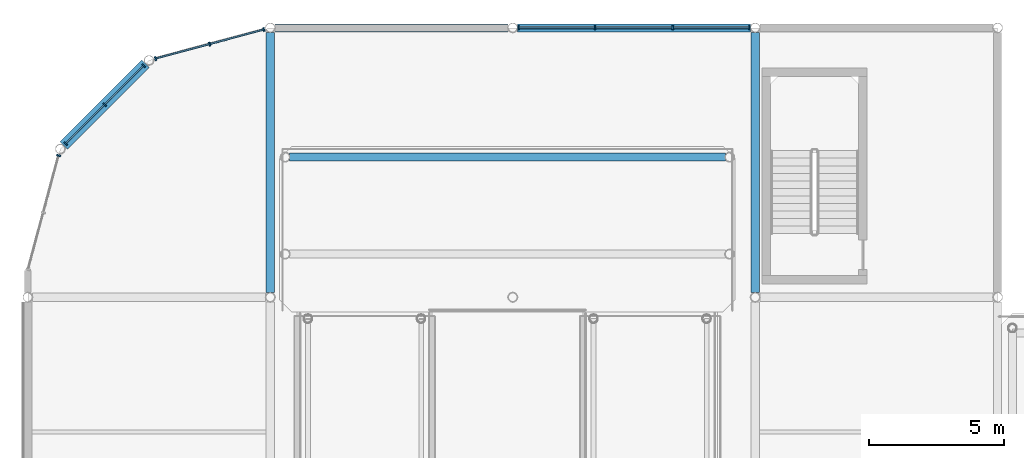
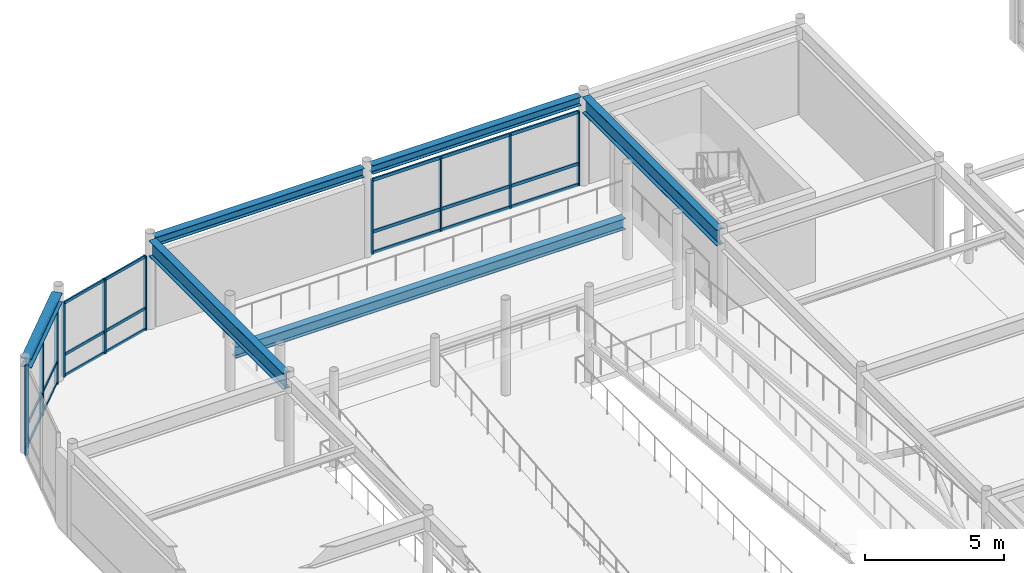
# One storey, part 40 of 108: 32 members, 6 beams, 4 elements without a shape of their own.
"""IFC4 building model written with IfcOpenShell, lengths in metres."""

import ifcopenshell
import ifcopenshell.guid

model = None  # the IFC model being written
_history = None  # IfcOwnerHistory: only IFC2X3 demands one
_inside = {}  # id of a spatial element -> (the spatial element, [elements in it])
_under = {}  # id of a project, library or spatial element -> (it, [spatial elements below it])
_declared = {}  # id of a project -> (the project, [libraries it declares])
_typed = {}  # id of a type object -> (the type object, [elements of that type])
_made_of = {}  # id of a material, layer set ... -> (it, [elements and type objects made of it])


def new_model(schema):
    """Start an empty IFC model of exactly this schema.

    Asked for "IFC4X3", IfcOpenShell would pick the latest addendum, in which some entities
    have other attributes; the version numbers below select the first issue.
    IFC2X3 requires an IfcOwnerHistory on every rooted entity: one is made here for all.
    """
    global model, _history
    if schema == "IFC4X3":
        model = ifcopenshell.file(schema_version=(4, 3, 0, 0))
    else:
        model = ifcopenshell.file(schema=schema)
    _inside.clear()
    _under.clear()
    _declared.clear()
    _typed.clear()
    _made_of.clear()
    _history = None
    if model.schema == "IFC2X3":
        org = make("IfcOrganization", Name="unknown")
        user = make(
            "IfcPersonAndOrganization",
            ThePerson=make("IfcPerson", FamilyName="unknown"),
            TheOrganization=org,
        )
        app = make(
            "IfcApplication",
            ApplicationDeveloper=org,
            Version="unknown",
            ApplicationFullName="unknown",
            ApplicationIdentifier="unknown",
        )
        _history = make(
            "IfcOwnerHistory",
            OwningUser=user,
            OwningApplication=app,
            ChangeAction="ADDED",
            CreationDate=0,
        )
    return model


def make(cls, **values):
    """One entity of the class cls with the attributes given. An attribute that is None is left unset."""
    return model.create_entity(
        cls, **{name: value for name, value in values.items() if value is not None}
    )


def rooted(cls, **values):
    """An entity with a GlobalId (a new one), such as an element, a storey or a relation."""
    return make(cls, GlobalId=ifcopenshell.guid.new(), OwnerHistory=_history, **values)


def si_unit(unit_type, name, prefix=None):
    """IfcSIUnit, for example si_unit("LENGTHUNIT", "METRE", prefix="MILLI")."""
    return make("IfcSIUnit", UnitType=unit_type, Prefix=prefix, Name=name)


def assignment(units):
    """IfcUnitAssignment: the units of a project."""
    return None if units is None else make("IfcUnitAssignment", Units=units)


def point(xyz):
    """IfcCartesianPoint."""
    return None if xyz is None else make("IfcCartesianPoint", Coordinates=xyz)


def direction(xyz):
    """IfcDirection."""
    return None if xyz is None else make("IfcDirection", DirectionRatios=xyz)


def frame(location, z_axis=None, x_axis=None):
    """IfcAxis2Placement3D, a coordinate frame: its origin and axes. An axis left out is left unset."""
    return make(
        "IfcAxis2Placement3D",
        Location=point(location),
        Axis=direction(z_axis),
        RefDirection=direction(x_axis),
    )


def frame_2d(location, x_axis=None):
    """IfcAxis2Placement2D, a coordinate frame in the plane: its origin and x axis."""
    return make(
        "IfcAxis2Placement2D", Location=point(location), RefDirection=direction(x_axis)
    )


def origin():
    """The frame at (0, 0, 0) with its axes left unset."""
    return frame((0.0, 0.0, 0.0))


def origin_2d():
    """The frame at (0, 0) in the plane with its x axis left unset."""
    return frame_2d((0.0, 0.0))


def place(relative_to, where):
    """IfcLocalPlacement: puts the frame where relative to a parent placement (None: the world)."""
    return make(
        "IfcLocalPlacement", PlacementRelTo=relative_to, RelativePlacement=where
    )


def context(
    kind, dimensions, precision=None, world=None, true_north=None, identifier=None
):
    """IfcGeometricRepresentationContext, for example the 3D "Model" context."""
    return make(
        "IfcGeometricRepresentationContext",
        ContextIdentifier=identifier,
        ContextType=kind,
        CoordinateSpaceDimension=dimensions,
        Precision=precision,
        WorldCoordinateSystem=world,
        TrueNorth=true_north,
    )


def subcontext(parent, identifier, kind, view, scale=None):
    """IfcGeometricRepresentationSubContext, for example "Body" below "Model"."""
    return make(
        "IfcGeometricRepresentationSubContext",
        ContextIdentifier=identifier,
        ContextType=kind,
        ParentContext=parent,
        TargetScale=scale,
        TargetView=view,
    )


def project(units=None, contexts=None):
    """IfcProject with its units and contexts."""
    return rooted(
        "IfcProject",
        Name="project",
        RepresentationContexts=contexts,
        UnitsInContext=assignment(units),
    )


def spatial(cls, under=None, at=None, **own):
    """A site, building, storey or space (cls), placed at a placement, below another one or the project."""
    s = rooted(cls, ObjectPlacement=at, **own)
    if under is not None:
        _under.setdefault(under.id(), (under, []))[1].append(s)
    return s


def profile(cls, at=None, kind="AREA", **sizes):
    """A parametric profile (cls). Its sizes go by their IFC names, for example OverallWidth=200.0."""
    return make(cls, ProfileType=kind, Position=at, **sizes)


def rectangle(**sizes):
    """IfcRectangleProfileDef."""
    return profile("IfcRectangleProfileDef", **sizes)


def i_section(**sizes):
    """IfcIShapeProfileDef."""
    return profile("IfcIShapeProfileDef", **sizes)


def extrude(swept, where, along, depth):
    """IfcExtrudedAreaSolid: the profile swept, set in the frame where, extruded along a direction by depth."""
    return make(
        "IfcExtrudedAreaSolid",
        SweptArea=swept,
        Position=where,
        ExtrudedDirection=direction(along),
        Depth=depth,
    )


def shape(context_of_items, identifier, shape_type, items):
    """IfcShapeRepresentation: the items that make up one representation, for example the "Body"."""
    return make(
        "IfcShapeRepresentation",
        ContextOfItems=context_of_items,
        RepresentationIdentifier=identifier,
        RepresentationType=shape_type,
        Items=items,
    )


def material(Name=None, Category=None):
    """IfcMaterial."""
    return make("IfcMaterial", Name=Name, Category=Category)


def material_profile(
    of_material, cross_section, Name=None, Category=None, Priority=None
):
    """IfcMaterialProfile: a cross section and its material."""
    return make(
        "IfcMaterialProfile",
        Name=Name,
        Material=of_material,
        Profile=cross_section,
        Priority=Priority,
        Category=Category,
    )


def profile_set(profiles, Name=None, composite=None):
    """IfcMaterialProfileSet."""
    return make(
        "IfcMaterialProfileSet",
        Name=Name,
        MaterialProfiles=profiles,
        CompositeProfile=composite,
    )


def made_of(thing, what):
    """Note that an element or type object is made of a material, layer set ...; save() writes the relation."""
    if what is not None:
        _made_of.setdefault(what.id(), (what, []))[1].append(thing)
    return thing


def type_object(cls, material=None, **own):
    """A type object (cls), such as IfcWallType, which elements share."""
    return made_of(rooted(cls, **own), material)


def element(
    cls,
    number,
    at=None,
    inside=None,
    cuts=None,
    type_object=None,
    material=None,
    context=None,
    identifier="Body",
    shape_type=None,
    held_by="IfcProductDefinitionShape",
    body=None,
    shapes=None,
    **own,
):
    """One element of the class cls, such as IfcWall. Its Tag is "e" and its number.

    at: its placement. inside: the storey or other place that contains it. cuts: it is an
    opening in that element (IfcRelVoidsElement). A single representation is given by context,
    identifier, shape_type and body (its items); several are given by shapes. held_by: the class
    of the entity that holds the representations. save() writes the other relations.
    """
    e = rooted(cls, Tag="e%d" % number, ObjectPlacement=at, **own)
    if body is not None:
        shapes = [shape(context, identifier, shape_type, body)]
    if shapes is not None:
        e.Representation = make(held_by, Representations=shapes)
    if inside is not None:
        _inside.setdefault(inside.id(), (inside, []))[1].append(e)
    if cuts is not None:
        rooted(
            "IfcRelVoidsElement", RelatingBuildingElement=cuts, RelatedOpeningElement=e
        )
    if type_object is not None:
        _typed.setdefault(type_object.id(), (type_object, []))[1].append(e)
    return made_of(e, material)


def aggregate(whole, parts):
    """IfcRelAggregates: a whole, such as a stair, and the parts it consists of."""
    return rooted("IfcRelAggregates", RelatingObject=whole, RelatedObjects=parts)


def save(model, path):
    """Write the relations noted so far, then the file.

    IfcRelAggregates (storeys below a building ...), IfcRelContainedInSpatialStructure (elements
    in a storey), IfcRelDefinesByType, IfcRelAssociatesMaterial and IfcRelDeclares: one each for
    every whole, place, type object, material and project.
    """
    for whole, parts in _under.values():
        aggregate(whole, parts)
    for where, things in _inside.values():
        rooted(
            "IfcRelContainedInSpatialStructure",
            RelatedElements=things,
            RelatingStructure=where,
        )
    for kind, things in _typed.values():
        rooted("IfcRelDefinesByType", RelatedObjects=things, RelatingType=kind)
    for what, things in _made_of.values():
        rooted("IfcRelAssociatesMaterial", RelatedObjects=things, RelatingMaterial=what)
    for by, libraries in _declared.values():
        rooted("IfcRelDeclares", RelatingContext=by, RelatedDefinitions=libraries)
    model.write(path)


model = new_model("IFC4")

# Units and contexts
model_context = context("Model", 3, precision=1e-05, world=origin(), true_north=direction((0.0, 1.0)))
body_context = subcontext(model_context, "Body", "Model", "MODEL_VIEW")
ifc_project = project(units=[si_unit("LENGTHUNIT", "METRE"), si_unit("AREAUNIT", "SQUARE_METRE"), si_unit("VOLUMEUNIT", "CUBIC_METRE"), si_unit("PLANEANGLEUNIT", "RADIAN"), si_unit("MASSUNIT", "GRAM", prefix="KILO")], contexts=[model_context])

# Site, building, storey
site_placement = place(None, origin())
site = spatial("IfcSite", under=ifc_project, at=site_placement, CompositionType="ELEMENT")
building_placement = place(site_placement, origin())
building = spatial("IfcBuilding", under=site, at=building_placement, Name="Suzunagisa Mobility Hub", CompositionType="ELEMENT")
storey_placement = place(building_placement, frame((0.0, 0.0, 9.300048828125)))
storey = spatial("IfcBuildingStorey", under=building, at=storey_placement, Name="L02", CompositionType="ELEMENT", Elevation=9.300048828125)

# Curtain wall, members
ifc_material_1 = material(Name="Thermally Broken Anodized Aluminum and Low-E Glazing", Category="aluminium")
curtain_wall_type_1 = type_object("IfcCurtainWallType", Name="Unitised Curtain Wall CW-13 8750x3200", PredefinedType="USERDEFINED", material=ifc_material_1)
curtain_wall_1_placement = place(storey_placement, origin())
curtain_wall_1 = element("IfcCurtainWall", 1, at=curtain_wall_1_placement, inside=storey, type_object=curtain_wall_type_1, Name="L02 Unitised Curtain Wall CW-67", ObjectType="UNITISED CURTAIN WALL", PredefinedType="USERDEFINED")
ifc_material_2 = material(Name="Anodized Aluminum 6063-T6", Category="aluminium")
ifc_material_profile_1 = material_profile(ifc_material_2, rectangle(XDim=0.06494140625, YDim=0.139892578125, at=origin_2d()), Name="TRAN-65x140")
ifc_profile_set_1 = profile_set([ifc_material_profile_1], Name="Anodized Aluminum 6063-T6")
member_type_1 = type_object("IfcMemberType", Name="Curtain Wall Framing CM-01 TRAN-65x140", PredefinedType="USERDEFINED", material=ifc_profile_set_1)
member_1_placement = place(storey_placement, frame((26.76416015625, 118.0, 0.032470703125), z_axis=(-1.0, 0.0, 0.0), x_axis=(0.0, -1.0, 0.0)))
member_1 = element("IfcMember", 2, at=member_1_placement, type_object=member_type_1, Name="Curtain Wall Transom 67-T1.1", ObjectType="TRANSOM", PredefinedType="USERDEFINED", context=body_context, shape_type="SweptSolid", body=[
    extrude(rectangle(XDim=0.06494140625, YDim=0.139892578125, at=origin_2d()), origin(), (0.0, 0.0, 1.0), 2.79541015625),
])
member_2_placement = place(storey_placement, frame((26.76416015625, 118.0, 0.949951171875), z_axis=(-1.0, 0.0, 0.0), x_axis=(0.0, -1.0, 0.0)))
member_2 = element("IfcMember", 3, at=member_2_placement, type_object=member_type_1, Name="Curtain Wall Transom 67-T1.2", ObjectType="TRANSOM", PredefinedType="USERDEFINED", context=body_context, shape_type="SweptSolid", body=[
    extrude(rectangle(XDim=0.06494140625, YDim=0.139892578125, at=origin_2d()), origin(), (0.0, 0.0, 1.0), 2.79541015625),
])
member_3_placement = place(storey_placement, frame((26.76416015625, 118.0, 3.217529296875), z_axis=(-1.0, 0.0, 0.0), x_axis=(0.0, -1.0, 0.0)))
member_3 = element("IfcMember", 4, at=member_3_placement, type_object=member_type_1, Name="Curtain Wall Transom 67-T1.3", ObjectType="TRANSOM", PredefinedType="USERDEFINED", context=body_context, shape_type="SweptSolid", body=[
    extrude(rectangle(XDim=0.06494140625, YDim=0.139892578125, at=origin_2d()), origin(), (0.0, 0.0, 1.0), 2.79541015625),
])
member_4_placement = place(storey_placement, frame((23.91259765625, 118.0, 0.032470703125), z_axis=(-1.0, 0.0, 0.0), x_axis=(0.0, -1.0, 0.0)))
member_4 = element("IfcMember", 5, at=member_4_placement, type_object=member_type_1, Name="Curtain Wall Transom 67-T2.1", ObjectType="TRANSOM", PredefinedType="USERDEFINED", context=body_context, shape_type="SweptSolid", body=[
    extrude(rectangle(XDim=0.06494140625, YDim=0.139892578125, at=origin_2d()), origin(), (0.0, 0.0, 1.0), 2.8251953125),
])
member_5_placement = place(storey_placement, frame((23.91259765625, 118.0, 0.949951171875), z_axis=(-1.0, 0.0, 0.0), x_axis=(0.0, -1.0, 0.0)))
member_5 = element("IfcMember", 6, at=member_5_placement, type_object=member_type_1, Name="Curtain Wall Transom 67-T2.2", ObjectType="TRANSOM", PredefinedType="USERDEFINED", context=body_context, shape_type="SweptSolid", body=[
    extrude(rectangle(XDim=0.06494140625, YDim=0.139892578125, at=origin_2d()), origin(), (0.0, 0.0, 1.0), 2.8251953125),
])
member_6_placement = place(storey_placement, frame((23.91259765625, 118.0, 3.217529296875), z_axis=(-1.0, 0.0, 0.0), x_axis=(0.0, -1.0, 0.0)))
member_6 = element("IfcMember", 7, at=member_6_placement, type_object=member_type_1, Name="Curtain Wall Transom 67-T2.3", ObjectType="TRANSOM", PredefinedType="USERDEFINED", context=body_context, shape_type="SweptSolid", body=[
    extrude(rectangle(XDim=0.06494140625, YDim=0.139892578125, at=origin_2d()), origin(), (0.0, 0.0, 1.0), 2.8251953125),
])
member_7_placement = place(storey_placement, frame((21.03125, 118.0, 0.032470703125), z_axis=(-1.0, 0.0, 0.0), x_axis=(0.0, -1.0, 0.0)))
member_7 = element("IfcMember", 8, at=member_7_placement, type_object=member_type_1, Name="Curtain Wall Transom 67-T3.1", ObjectType="TRANSOM", PredefinedType="USERDEFINED", context=body_context, shape_type="SweptSolid", body=[
    extrude(rectangle(XDim=0.06494140625, YDim=0.139892578125, at=origin_2d()), origin(), (0.0, 0.0, 1.0), 2.79541015625),
])
member_8_placement = place(storey_placement, frame((21.03125, 118.0, 0.949951171875), z_axis=(-1.0, 0.0, 0.0), x_axis=(0.0, -1.0, 0.0)))
member_8 = element("IfcMember", 9, at=member_8_placement, type_object=member_type_1, Name="Curtain Wall Transom 67-T3.2", ObjectType="TRANSOM", PredefinedType="USERDEFINED", context=body_context, shape_type="SweptSolid", body=[
    extrude(rectangle(XDim=0.06494140625, YDim=0.139892578125, at=origin_2d()), origin(), (0.0, 0.0, 1.0), 2.79541015625),
])
member_9_placement = place(storey_placement, frame((21.03125, 118.0, 3.217529296875), z_axis=(-1.0, 0.0, 0.0), x_axis=(0.0, -1.0, 0.0)))
member_9 = element("IfcMember", 10, at=member_9_placement, type_object=member_type_1, Name="Curtain Wall Transom 67-T3.3", ObjectType="TRANSOM", PredefinedType="USERDEFINED", context=body_context, shape_type="SweptSolid", body=[
    extrude(rectangle(XDim=0.06494140625, YDim=0.139892578125, at=origin_2d()), origin(), (0.0, 0.0, 1.0), 2.79541015625),
])

curtain_wall_type_2 = type_object("IfcCurtainWallType", Name="Unitised Curtain Wall CW-01 4250x3200", PredefinedType="USERDEFINED", material=ifc_material_1)
curtain_wall_2_placement = place(storey_placement, origin())
curtain_wall_2 = element("IfcCurtainWall", 11, at=curtain_wall_2_placement, inside=storey, type_object=curtain_wall_type_2, Name="L02 Unitised Curtain Wall CW-68", ObjectType="UNITISED CURTAIN WALL", PredefinedType="USERDEFINED")
ifc_material_profile_2 = material_profile(ifc_material_2, rectangle(XDim=0.06005859375, YDim=0.1201171875, at=origin_2d()), Name="TRAN-60x120")
ifc_profile_set_2 = profile_set([ifc_material_profile_2], Name="Anodized Aluminum 6063-T6")
member_type_2 = type_object("IfcMemberType", Name="Curtain Wall Framing CM-02 TRAN-60x120", PredefinedType="USERDEFINED", material=ifc_profile_set_2)
member_10_placement = place(storey_placement, frame((8.733642578125, 117.9287109375, 0.030029296875), z_axis=(-0.965906081949, -0.258892720742, 0.0), x_axis=(0.258892720742, -0.965906081949, 0.0)))
member_10 = element("IfcMember", 12, at=member_10_placement, type_object=member_type_2, Name="Curtain Wall Transom 68-T1.1", ObjectType="TRANSOM", PredefinedType="USERDEFINED", context=body_context, shape_type="SweptSolid", body=[
    extrude(rectangle(XDim=0.06005859375, YDim=0.1201171875, at=origin_2d()), origin(), (0.0, 0.0, 1.0), 2.025634765625),
])
member_11_placement = place(storey_placement, frame((8.733642578125, 117.9287109375, 0.949951171875), z_axis=(-0.965906081949, -0.258892720742, 0.0), x_axis=(0.258892720742, -0.965906081949, 0.0)))
member_11 = element("IfcMember", 13, at=member_11_placement, type_object=member_type_2, Name="Curtain Wall Transom 68-T1.2", ObjectType="TRANSOM", PredefinedType="USERDEFINED", context=body_context, shape_type="SweptSolid", body=[
    extrude(rectangle(XDim=0.06005859375, YDim=0.1201171875, at=origin_2d()), origin(), (0.0, 0.0, 1.0), 2.025634765625),
])
member_12_placement = place(storey_placement, frame((8.733642578125, 117.9287109375, 3.219970703125), z_axis=(-0.965906081949, -0.258892720742, 0.0), x_axis=(0.258892720742, -0.965906081949, 0.0)))
member_12 = element("IfcMember", 14, at=member_12_placement, type_object=member_type_2, Name="Curtain Wall Transom 68-T1.3", ObjectType="TRANSOM", PredefinedType="USERDEFINED", context=body_context, shape_type="SweptSolid", body=[
    extrude(rectangle(XDim=0.06005859375, YDim=0.1201171875, at=origin_2d()), origin(), (0.0, 0.0, 1.0), 2.025634765625),
])
member_13_placement = place(storey_placement, frame((6.722900390625, 117.389892578125, 0.030029296875), z_axis=(-0.965906081949, -0.258892720742, 0.0), x_axis=(0.258892720742, -0.965906081949, 0.0)))
member_13 = element("IfcMember", 15, at=member_13_placement, type_object=member_type_2, Name="Curtain Wall Transom 68-T2.1", ObjectType="TRANSOM", PredefinedType="USERDEFINED", context=body_context, shape_type="SweptSolid", body=[
    extrude(rectangle(XDim=0.06005859375, YDim=0.1201171875, at=origin_2d()), origin(), (0.0, 0.0, 1.0), 2.025634765625),
])
member_14_placement = place(storey_placement, frame((6.722900390625, 117.389892578125, 0.949951171875), z_axis=(-0.965906081949, -0.258892720742, 0.0), x_axis=(0.258892720742, -0.965906081949, 0.0)))
member_14 = element("IfcMember", 16, at=member_14_placement, type_object=member_type_2, Name="Curtain Wall Transom 68-T2.2", ObjectType="TRANSOM", PredefinedType="USERDEFINED", context=body_context, shape_type="SweptSolid", body=[
    extrude(rectangle(XDim=0.06005859375, YDim=0.1201171875, at=origin_2d()), origin(), (0.0, 0.0, 1.0), 2.025634765625),
])
member_15_placement = place(storey_placement, frame((6.722900390625, 117.389892578125, 3.219970703125), z_axis=(-0.965906081949, -0.258892720742, 0.0), x_axis=(0.258892720742, -0.965906081949, 0.0)))
member_15 = element("IfcMember", 17, at=member_15_placement, type_object=member_type_2, Name="Curtain Wall Transom 68-T2.3", ObjectType="TRANSOM", PredefinedType="USERDEFINED", context=body_context, shape_type="SweptSolid", body=[
    extrude(rectangle(XDim=0.06005859375, YDim=0.1201171875, at=origin_2d()), origin(), (0.0, 0.0, 1.0), 2.025634765625),
])

curtain_wall_type_3 = type_object("IfcCurtainWallType", Name="Unitised Curtain Wall CW-44 4250x3600", PredefinedType="USERDEFINED", material=ifc_material_1)
curtain_wall_3_placement = place(storey_placement, origin())
curtain_wall_3 = element("IfcCurtainWall", 18, at=curtain_wall_3_placement, inside=storey, type_object=curtain_wall_type_3, Name="L02 Unitised Curtain Wall CW-69", ObjectType="UNITISED CURTAIN WALL", PredefinedType="USERDEFINED")
member_16_placement = place(storey_placement, frame((4.28125, 116.575439453125, 0.030029296875), z_axis=(-0.707106781187, -0.707106781187, 0.0), x_axis=(0.707106781187, -0.707106781187, 0.0)))
member_16 = element("IfcMember", 19, at=member_16_placement, type_object=member_type_2, Name="Curtain Wall Transom 69-T1.1", ObjectType="TRANSOM", PredefinedType="USERDEFINED", context=body_context, shape_type="SweptSolid", body=[
    extrude(rectangle(XDim=0.06005859375, YDim=0.1201171875, at=origin_2d()), origin(), (0.0, 0.0, 1.0), 1.991943359375),
])
member_17_placement = place(storey_placement, frame((4.28125, 116.575439453125, 0.949951171875), z_axis=(-0.707106781187, -0.707106781187, 0.0), x_axis=(0.707106781187, -0.707106781187, 0.0)))
member_17 = element("IfcMember", 20, at=member_17_placement, type_object=member_type_2, Name="Curtain Wall Transom 69-T1.2", ObjectType="TRANSOM", PredefinedType="USERDEFINED", context=body_context, shape_type="SweptSolid", body=[
    extrude(rectangle(XDim=0.06005859375, YDim=0.1201171875, at=origin_2d()), origin(), (0.0, 0.0, 1.0), 1.991943359375),
])
member_18_placement = place(storey_placement, frame((4.28125, 116.575439453125, 3.52001953125), z_axis=(-0.707106781187, -0.707106781187, 0.0), x_axis=(0.707106781187, -0.707106781187, 0.0)))
member_18 = element("IfcMember", 21, at=member_18_placement, type_object=member_type_2, Name="Curtain Wall Transom 69-T1.3", ObjectType="TRANSOM", PredefinedType="USERDEFINED", context=body_context, shape_type="SweptSolid", body=[
    extrude(rectangle(XDim=0.06005859375, YDim=0.1201171875, at=origin_2d()), origin(), (0.0, 0.0, 1.0), 1.991943359375),
])
member_19_placement = place(storey_placement, frame((2.8330078125, 115.127197265625, 0.030029296875), z_axis=(-0.707106781187, -0.707106781187, 0.0), x_axis=(0.707106781187, -0.707106781187, 0.0)))
member_19 = element("IfcMember", 22, at=member_19_placement, type_object=member_type_2, Name="Curtain Wall Transom 69-T2.1", ObjectType="TRANSOM", PredefinedType="USERDEFINED", context=body_context, shape_type="SweptSolid", body=[
    extrude(rectangle(XDim=0.06005859375, YDim=0.1201171875, at=origin_2d()), origin(), (0.0, 0.0, 1.0), 1.991943359375),
])
member_20_placement = place(storey_placement, frame((2.8330078125, 115.127197265625, 0.949951171875), z_axis=(-0.707106781187, -0.707106781187, 0.0), x_axis=(0.707106781187, -0.707106781187, 0.0)))
member_20 = element("IfcMember", 23, at=member_20_placement, type_object=member_type_2, Name="Curtain Wall Transom 69-T2.2", ObjectType="TRANSOM", PredefinedType="USERDEFINED", context=body_context, shape_type="SweptSolid", body=[
    extrude(rectangle(XDim=0.06005859375, YDim=0.1201171875, at=origin_2d()), origin(), (0.0, 0.0, 1.0), 1.991943359375),
])
member_21_placement = place(storey_placement, frame((2.8330078125, 115.127197265625, 3.52001953125), z_axis=(-0.707106781187, -0.707106781187, 0.0), x_axis=(0.707106781187, -0.707106781187, 0.0)))
member_21 = element("IfcMember", 24, at=member_21_placement, type_object=member_type_2, Name="Curtain Wall Transom 69-T2.3", ObjectType="TRANSOM", PredefinedType="USERDEFINED", context=body_context, shape_type="SweptSolid", body=[
    extrude(rectangle(XDim=0.06005859375, YDim=0.1201171875, at=origin_2d()), origin(), (0.0, 0.0, 1.0), 1.991943359375),
])

# Member
ifc_material_profile_3 = material_profile(ifc_material_2, rectangle(XDim=0.06005859375, YDim=0.14990234375, at=origin_2d()), Name="MULL-60x150")
ifc_profile_set_3 = profile_set([ifc_material_profile_3], Name="Anodized Aluminum 6063-T6")
member_type_3 = type_object("IfcMemberType", Name="Curtain Wall Framing CM-03 MULL-60x150", PredefinedType="MULLION", material=ifc_profile_set_3)
member_22_placement = place(storey_placement, frame((26.792236328125, 118.0, 0.0), z_axis=(0.0, 0.0, 1.0), x_axis=(-1.0, 0.0, 0.0)))
member_22 = element("IfcMember", 25, at=member_22_placement, type_object=member_type_3, Name="Curtain Wall Mullion 67-M1", PredefinedType="MULLION", context=body_context, shape_type="SweptSolid", body=[
    extrude(rectangle(XDim=0.06005859375, YDim=0.14990234375, at=origin_2d()), origin(), (0.0, 0.0, 1.0), 3.25),
])

member_23_placement = place(storey_placement, frame((23.940673828125, 118.0, 0.0), z_axis=(0.0, 0.0, 1.0), x_axis=(-1.0, 0.0, 0.0)))
member_23 = element("IfcMember", 26, at=member_23_placement, type_object=member_type_3, Name="Curtain Wall Mullion 67-M2", PredefinedType="MULLION", context=body_context, shape_type="SweptSolid", body=[
    extrude(rectangle(XDim=0.06005859375, YDim=0.14990234375, at=origin_2d()), origin(), (0.0, 0.0, 1.0), 3.25),
])

member_24_placement = place(storey_placement, frame((21.059326171875, 118.0, 0.0), z_axis=(0.0, 0.0, 1.0), x_axis=(-1.0, 0.0, 0.0)))
member_24 = element("IfcMember", 27, at=member_24_placement, type_object=member_type_3, Name="Curtain Wall Mullion 67-M3", PredefinedType="MULLION", context=body_context, shape_type="SweptSolid", body=[
    extrude(rectangle(XDim=0.06005859375, YDim=0.14990234375, at=origin_2d()), origin(), (0.0, 0.0, 1.0), 3.25),
])

member_25_placement = place(storey_placement, frame((18.207763671875, 118.0, 0.0), z_axis=(0.0, 0.0, 1.0), x_axis=(-1.0, 0.0, 0.0)))
member_25 = element("IfcMember", 28, at=member_25_placement, type_object=member_type_3, Name="Curtain Wall Mullion 67-M4", PredefinedType="MULLION", context=body_context, shape_type="SweptSolid", body=[
    extrude(rectangle(XDim=0.06005859375, YDim=0.14990234375, at=origin_2d()), origin(), (0.0, 0.0, 1.0), 3.25),
])

aggregate(curtain_wall_1, [member_22, member_23, member_24, member_25, member_1, member_2, member_3, member_4, member_5, member_6, member_7, member_8, member_9])

member_26_placement = place(storey_placement, frame((8.7607421875, 117.935791015625, 0.0), z_axis=(0.0, 0.0, 1.0), x_axis=(-0.965930084429, -0.258803152984, 0.0)))
member_26 = element("IfcMember", 29, at=member_26_placement, type_object=member_type_3, Name="Curtain Wall Mullion 68-M1", PredefinedType="MULLION", context=body_context, shape_type="SweptSolid", body=[
    extrude(rectangle(XDim=0.06005859375, YDim=0.14990234375, at=origin_2d()), origin(), (0.0, 0.0, 1.0), 3.25),
])

member_27_placement = place(storey_placement, frame((6.75, 117.397216796875, 0.0), z_axis=(0.0, 0.0, 1.0), x_axis=(-0.965930084429, -0.258803152984, 0.0)))
member_27 = element("IfcMember", 30, at=member_27_placement, type_object=member_type_3, Name="Curtain Wall Mullion 68-M2", PredefinedType="MULLION", context=body_context, shape_type="SweptSolid", body=[
    extrude(rectangle(XDim=0.06005859375, YDim=0.14990234375, at=origin_2d()), origin(), (0.0, 0.0, 1.0), 3.25),
])

member_28_placement = place(storey_placement, frame((4.7392578125, 116.8583984375, 0.0), z_axis=(0.0, 0.0, 1.0), x_axis=(-0.965930084429, -0.258803152984, 0.0)))
member_28 = element("IfcMember", 31, at=member_28_placement, type_object=member_type_3, Name="Curtain Wall Mullion 68-M3", PredefinedType="MULLION", context=body_context, shape_type="SweptSolid", body=[
    extrude(rectangle(XDim=0.06005859375, YDim=0.14990234375, at=origin_2d()), origin(), (0.0, 0.0, 1.0), 3.25),
])

aggregate(curtain_wall_2, [member_26, member_27, member_28, member_10, member_11, member_12, member_13, member_14, member_15])

member_29_placement = place(storey_placement, frame((4.301025390625, 116.59521484375, 0.0), z_axis=(0.0, 0.0, 1.0), x_axis=(-0.707106781187, -0.707106781187, 0.0)))
member_29 = element("IfcMember", 32, at=member_29_placement, type_object=member_type_3, Name="Curtain Wall Mullion 69-M1", PredefinedType="MULLION", context=body_context, shape_type="SweptSolid", body=[
    extrude(rectangle(XDim=0.06005859375, YDim=0.14990234375, at=origin_2d()), origin(), (0.0, 0.0, 1.0), 3.550048828125),
])

member_30_placement = place(storey_placement, frame((2.852783203125, 115.147216796875, 0.0), z_axis=(0.0, 0.0, 1.0), x_axis=(-0.707106781187, -0.707106781187, 0.0)))
member_30 = element("IfcMember", 33, at=member_30_placement, type_object=member_type_3, Name="Curtain Wall Mullion 69-M2", PredefinedType="MULLION", context=body_context, shape_type="SweptSolid", body=[
    extrude(rectangle(XDim=0.06005859375, YDim=0.14990234375, at=origin_2d()), origin(), (0.0, 0.0, 1.0), 3.550048828125),
])

member_31_placement = place(storey_placement, frame((1.40478515625, 113.698974609375, 0.0), z_axis=(0.0, 0.0, 1.0), x_axis=(-0.707106781187, -0.707106781187, 0.0)))
member_31 = element("IfcMember", 34, at=member_31_placement, type_object=member_type_3, Name="Curtain Wall Mullion 69-M3", PredefinedType="MULLION", context=body_context, shape_type="SweptSolid", body=[
    extrude(rectangle(XDim=0.06005859375, YDim=0.14990234375, at=origin_2d()), origin(), (0.0, 0.0, 1.0), 3.550048828125),
])

aggregate(curtain_wall_3, [member_29, member_30, member_31, member_16, member_17, member_18, member_19, member_20, member_21])

# Curtain wall, member
curtain_wall_type_4 = type_object("IfcCurtainWallType", Name="Unitised Curtain Wall CW-42 4500x4000", PredefinedType="USERDEFINED", material=ifc_material_1)
curtain_wall_4_placement = place(storey_placement, origin())
curtain_wall_4 = element("IfcCurtainWall", 35, at=curtain_wall_4_placement, inside=storey, type_object=curtain_wall_type_4, Name="L02 Unitised Curtain Wall CW-70", ObjectType="UNITISED CURTAIN WALL", PredefinedType="USERDEFINED")
member_32_placement = place(storey_placement, frame((1.1416015625, 113.2607421875, 0.0), z_axis=(0.0, 0.0, 1.0), x_axis=(-0.258814496501, -0.965927045072, 0.0)))
member_32 = element("IfcMember", 36, at=member_32_placement, type_object=member_type_3, Name="Curtain Wall Mullion 70-M1", PredefinedType="MULLION", context=body_context, shape_type="SweptSolid", body=[
    extrude(rectangle(XDim=0.06005859375, YDim=0.14990234375, at=origin_2d()), origin(), (0.0, 0.0, 1.0), 3.949951171875),
])
aggregate(curtain_wall_4, [member_32])

# Beams
ifc_material_3 = material(Name="Steel SN490B", Category="steel")
ifc_material_profile_4 = material_profile(ifc_material_3, i_section(OverallWidth=0.300048828125, OverallDepth=0.488037109375, WebThickness=0.010986328125, FlangeThickness=0.01806640625, FilletRadius=0.012939453125, at=origin_2d()), Name="H-488x300x11x18")
ifc_profile_set_4 = profile_set([ifc_material_profile_4], Name="Steel SN490B")
beam_type_1 = type_object("IfcBeamType", Name="Steel Beam BM-06 H-488x300x11x18", PredefinedType="BEAM", material=ifc_profile_set_4)
beam_1_placement = place(storey_placement, frame((9.7099609375, 113.199951171875, 1.60595703125), z_axis=(1.0, 0.0, 0.0), x_axis=(0.0, 1.0, 0.0)))
element("IfcBeam", 37, at=beam_1_placement, inside=storey, type_object=beam_type_1, Name="L02 Ramp Turn Deck Support Girder 2326", PredefinedType="BEAM", context=body_context, shape_type="SweptSolid", body=[
    extrude(i_section(OverallWidth=0.300048828125, OverallDepth=0.488037109375, WebThickness=0.010986328125, FlangeThickness=0.01806640625, FilletRadius=0.012939453125, at=origin_2d()), origin(), (0.0, 0.0, 1.0), 16.179931640625),
])
ifc_material_profile_5 = material_profile(ifc_material_3, i_section(OverallWidth=0.300048828125, OverallDepth=0.699951171875, WebThickness=0.012939453125, FlangeThickness=0.02392578125, FilletRadius=0.01806640625, at=origin_2d()), Name="H-700x300x13x24")
ifc_profile_set_5 = profile_set([ifc_material_profile_5], Name="Steel SN490B")
beam_type_2 = type_object("IfcBeamType", Name="Steel Beam BM-11 H-700x300x13x24", PredefinedType="BEAM", material=ifc_profile_set_5)
for number, where, z_axis, x_axis, name in (
    (38, (9.0, 108.173828125, 3.599853515625), (0.0, 1.0, 0.0), (-1.0, 0.0, 0.0), "L02 Primary Girder GY-538"),
    (39, (27.0, 108.173828125, 3.599853515625), (0.0, 1.0, 0.0), (-1.0, 0.0, 0.0), "L02 Primary Girder GY-543"),
):
    element("IfcBeam", number, at=place(storey_placement, frame(where, z_axis=z_axis, x_axis=x_axis)), inside=storey, type_object=beam_type_2, Name=name, PredefinedType="BEAM", context=body_context, shape_type="SweptSolid", body=[
        extrude(i_section(OverallWidth=0.300048828125, OverallDepth=0.699951171875, WebThickness=0.012939453125, FlangeThickness=0.02392578125, FilletRadius=0.01806640625, at=origin_2d()), origin(), (0.0, 0.0, 1.0), 9.65234375),
    ])
ifc_material_profile_6 = material_profile(ifc_material_3, i_section(OverallWidth=0.39990234375, OverallDepth=0.39990234375, WebThickness=0.012939453125, FlangeThickness=0.02099609375, FilletRadius=0.01611328125, at=origin_2d()), Name="H-400x400x13x21")
ifc_profile_set_6 = profile_set([ifc_material_profile_6], Name="Steel SN490B")
beam_type_3 = type_object("IfcBeamType", Name="Steel Beam BM-12 H-400x400x13x21", PredefinedType="SPANDREL", material=ifc_profile_set_6)
beam_2_placement = place(storey_placement, frame((4.374267578125, 116.66845703125, 3.75), z_axis=(-0.707106781187, -0.707106781187, 0.0), x_axis=(0.707106781187, -0.707106781187, 0.0)))
element("IfcBeam", 40, at=beam_2_placement, inside=storey, type_object=beam_type_3, Name="L02 Streamline Prow Spandrel 549", PredefinedType="SPANDREL", context=body_context, shape_type="SweptSolid", body=[
    extrude(i_section(OverallWidth=0.39990234375, OverallDepth=0.39990234375, WebThickness=0.012939453125, FlangeThickness=0.02099609375, FilletRadius=0.01611328125, at=origin_2d()), origin(), (0.0, 0.0, 1.0), 4.302978515625),
])
ifc_material_profile_7 = material_profile(ifc_material_3, i_section(OverallWidth=0.300048828125, OverallDepth=0.389892578125, WebThickness=0.010009765625, FlangeThickness=0.01611328125, FilletRadius=0.012939453125, at=origin_2d()), Name="H-390x300x10x16")
ifc_profile_set_7 = profile_set([ifc_material_profile_7], Name="Steel SN490B")
beam_type_4 = type_object("IfcBeamType", Name="Steel Beam BM-13 H-390x300x10x16", PredefinedType="SPANDREL", material=ifc_profile_set_7)
for number, where, z_axis, x_axis, name in (
    (41, (9.173828125, 118.0, 3.7548828125), (1.0, 0.0, 0.0), (0.0, 1.0, 0.0), "L02 Primary Girder GX-530"),
    (42, (18.173828125, 118.0, 3.7548828125), (1.0, 0.0, 0.0), (0.0, 1.0, 0.0), "L02 Primary Girder GX-531"),
):
    element("IfcBeam", number, at=place(storey_placement, frame(where, z_axis=z_axis, x_axis=x_axis)), inside=storey, type_object=beam_type_4, Name=name, PredefinedType="SPANDREL", context=body_context, shape_type="SweptSolid", body=[
        extrude(i_section(OverallWidth=0.300048828125, OverallDepth=0.389892578125, WebThickness=0.010009765625, FlangeThickness=0.01611328125, FilletRadius=0.012939453125, at=origin_2d()), origin(), (0.0, 0.0, 1.0), 8.65234375),
    ])

save(model, "model.ifc")
